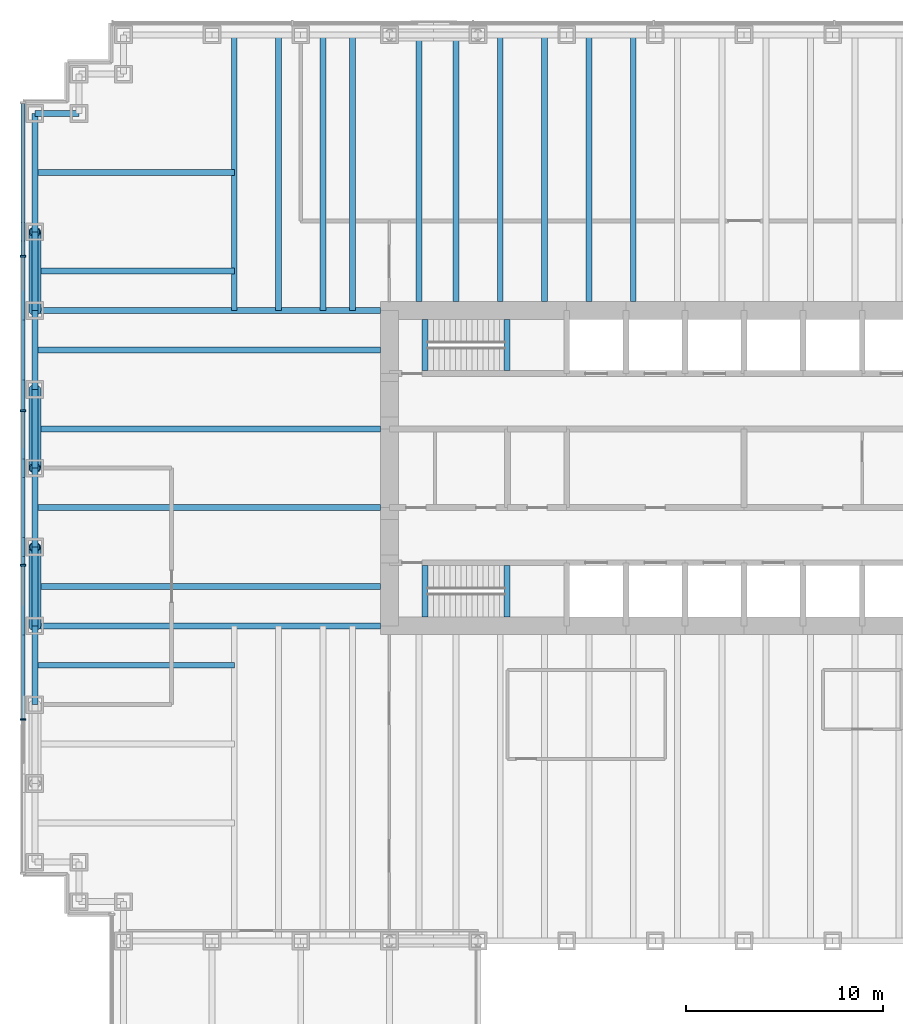
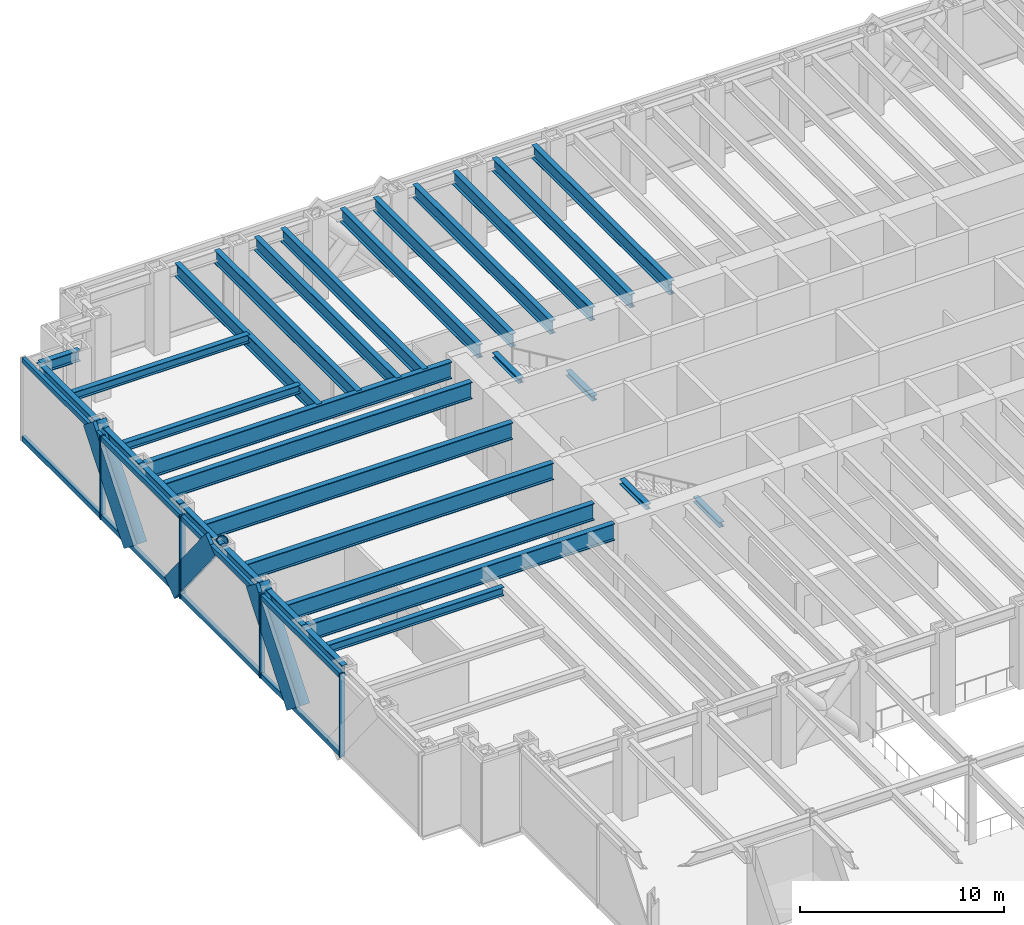
# One storey, part 5 of 17: 31 beams, 18 members, 1 element without a shape of its own.
"""IFC4 building model written with IfcOpenShell, lengths in metres."""

import ifcopenshell
import ifcopenshell.guid

model = None  # the IFC model being written
_history = None  # IfcOwnerHistory: only IFC2X3 demands one
_inside = {}  # id of a spatial element -> (the spatial element, [elements in it])
_under = {}  # id of a project, library or spatial element -> (it, [spatial elements below it])
_declared = {}  # id of a project -> (the project, [libraries it declares])
_typed = {}  # id of a type object -> (the type object, [elements of that type])
_made_of = {}  # id of a material, layer set ... -> (it, [elements and type objects made of it])


def new_model(schema):
    """Start an empty IFC model of exactly this schema.

    Asked for "IFC4X3", IfcOpenShell would pick the latest addendum, in which some entities
    have other attributes; the version numbers below select the first issue.
    IFC2X3 requires an IfcOwnerHistory on every rooted entity: one is made here for all.
    """
    global model, _history
    if schema == "IFC4X3":
        model = ifcopenshell.file(schema_version=(4, 3, 0, 0))
    else:
        model = ifcopenshell.file(schema=schema)
    _inside.clear()
    _under.clear()
    _declared.clear()
    _typed.clear()
    _made_of.clear()
    _history = None
    if model.schema == "IFC2X3":
        org = make("IfcOrganization", Name="unknown")
        user = make(
            "IfcPersonAndOrganization",
            ThePerson=make("IfcPerson", FamilyName="unknown"),
            TheOrganization=org,
        )
        app = make(
            "IfcApplication",
            ApplicationDeveloper=org,
            Version="unknown",
            ApplicationFullName="unknown",
            ApplicationIdentifier="unknown",
        )
        _history = make(
            "IfcOwnerHistory",
            OwningUser=user,
            OwningApplication=app,
            ChangeAction="ADDED",
            CreationDate=0,
        )
    return model


def make(cls, **values):
    """One entity of the class cls with the attributes given. An attribute that is None is left unset."""
    return model.create_entity(
        cls, **{name: value for name, value in values.items() if value is not None}
    )


def rooted(cls, **values):
    """An entity with a GlobalId (a new one), such as an element, a storey or a relation."""
    return make(cls, GlobalId=ifcopenshell.guid.new(), OwnerHistory=_history, **values)


def si_unit(unit_type, name, prefix=None):
    """IfcSIUnit, for example si_unit("LENGTHUNIT", "METRE", prefix="MILLI")."""
    return make("IfcSIUnit", UnitType=unit_type, Prefix=prefix, Name=name)


def assignment(units):
    """IfcUnitAssignment: the units of a project."""
    return None if units is None else make("IfcUnitAssignment", Units=units)


def point(xyz):
    """IfcCartesianPoint."""
    return None if xyz is None else make("IfcCartesianPoint", Coordinates=xyz)


def direction(xyz):
    """IfcDirection."""
    return None if xyz is None else make("IfcDirection", DirectionRatios=xyz)


def frame(location, z_axis=None, x_axis=None):
    """IfcAxis2Placement3D, a coordinate frame: its origin and axes. An axis left out is left unset."""
    return make(
        "IfcAxis2Placement3D",
        Location=point(location),
        Axis=direction(z_axis),
        RefDirection=direction(x_axis),
    )


def frame_2d(location, x_axis=None):
    """IfcAxis2Placement2D, a coordinate frame in the plane: its origin and x axis."""
    return make(
        "IfcAxis2Placement2D", Location=point(location), RefDirection=direction(x_axis)
    )


def origin():
    """The frame at (0, 0, 0) with its axes left unset."""
    return frame((0.0, 0.0, 0.0))


def origin_2d():
    """The frame at (0, 0) in the plane with its x axis left unset."""
    return frame_2d((0.0, 0.0))


def place(relative_to, where):
    """IfcLocalPlacement: puts the frame where relative to a parent placement (None: the world)."""
    return make(
        "IfcLocalPlacement", PlacementRelTo=relative_to, RelativePlacement=where
    )


def context(
    kind, dimensions, precision=None, world=None, true_north=None, identifier=None
):
    """IfcGeometricRepresentationContext, for example the 3D "Model" context."""
    return make(
        "IfcGeometricRepresentationContext",
        ContextIdentifier=identifier,
        ContextType=kind,
        CoordinateSpaceDimension=dimensions,
        Precision=precision,
        WorldCoordinateSystem=world,
        TrueNorth=true_north,
    )


def subcontext(parent, identifier, kind, view, scale=None):
    """IfcGeometricRepresentationSubContext, for example "Body" below "Model"."""
    return make(
        "IfcGeometricRepresentationSubContext",
        ContextIdentifier=identifier,
        ContextType=kind,
        ParentContext=parent,
        TargetScale=scale,
        TargetView=view,
    )


def project(units=None, contexts=None):
    """IfcProject with its units and contexts."""
    return rooted(
        "IfcProject",
        Name="project",
        RepresentationContexts=contexts,
        UnitsInContext=assignment(units),
    )


def spatial(cls, under=None, at=None, **own):
    """A site, building, storey or space (cls), placed at a placement, below another one or the project."""
    s = rooted(cls, ObjectPlacement=at, **own)
    if under is not None:
        _under.setdefault(under.id(), (under, []))[1].append(s)
    return s


def profile(cls, at=None, kind="AREA", **sizes):
    """A parametric profile (cls). Its sizes go by their IFC names, for example OverallWidth=200.0."""
    return make(cls, ProfileType=kind, Position=at, **sizes)


def rectangle(**sizes):
    """IfcRectangleProfileDef."""
    return profile("IfcRectangleProfileDef", **sizes)


def hollow_circle(**sizes):
    """IfcCircleHollowProfileDef."""
    return profile("IfcCircleHollowProfileDef", **sizes)


def i_section(**sizes):
    """IfcIShapeProfileDef."""
    return profile("IfcIShapeProfileDef", **sizes)


def extrude(swept, where, along, depth):
    """IfcExtrudedAreaSolid: the profile swept, set in the frame where, extruded along a direction by depth."""
    return make(
        "IfcExtrudedAreaSolid",
        SweptArea=swept,
        Position=where,
        ExtrudedDirection=direction(along),
        Depth=depth,
    )


def shape(context_of_items, identifier, shape_type, items):
    """IfcShapeRepresentation: the items that make up one representation, for example the "Body"."""
    return make(
        "IfcShapeRepresentation",
        ContextOfItems=context_of_items,
        RepresentationIdentifier=identifier,
        RepresentationType=shape_type,
        Items=items,
    )


def material(Name=None, Category=None):
    """IfcMaterial."""
    return make("IfcMaterial", Name=Name, Category=Category)


def material_profile(
    of_material, cross_section, Name=None, Category=None, Priority=None
):
    """IfcMaterialProfile: a cross section and its material."""
    return make(
        "IfcMaterialProfile",
        Name=Name,
        Material=of_material,
        Profile=cross_section,
        Priority=Priority,
        Category=Category,
    )


def profile_set(profiles, Name=None, composite=None):
    """IfcMaterialProfileSet."""
    return make(
        "IfcMaterialProfileSet",
        Name=Name,
        MaterialProfiles=profiles,
        CompositeProfile=composite,
    )


def made_of(thing, what):
    """Note that an element or type object is made of a material, layer set ...; save() writes the relation."""
    if what is not None:
        _made_of.setdefault(what.id(), (what, []))[1].append(thing)
    return thing


def type_object(cls, material=None, **own):
    """A type object (cls), such as IfcWallType, which elements share."""
    return made_of(rooted(cls, **own), material)


def element(
    cls,
    number,
    at=None,
    inside=None,
    cuts=None,
    type_object=None,
    material=None,
    context=None,
    identifier="Body",
    shape_type=None,
    held_by="IfcProductDefinitionShape",
    body=None,
    shapes=None,
    **own,
):
    """One element of the class cls, such as IfcWall. Its Tag is "e" and its number.

    at: its placement. inside: the storey or other place that contains it. cuts: it is an
    opening in that element (IfcRelVoidsElement). A single representation is given by context,
    identifier, shape_type and body (its items); several are given by shapes. held_by: the class
    of the entity that holds the representations. save() writes the other relations.
    """
    e = rooted(cls, Tag="e%d" % number, ObjectPlacement=at, **own)
    if body is not None:
        shapes = [shape(context, identifier, shape_type, body)]
    if shapes is not None:
        e.Representation = make(held_by, Representations=shapes)
    if inside is not None:
        _inside.setdefault(inside.id(), (inside, []))[1].append(e)
    if cuts is not None:
        rooted(
            "IfcRelVoidsElement", RelatingBuildingElement=cuts, RelatedOpeningElement=e
        )
    if type_object is not None:
        _typed.setdefault(type_object.id(), (type_object, []))[1].append(e)
    return made_of(e, material)


def aggregate(whole, parts):
    """IfcRelAggregates: a whole, such as a stair, and the parts it consists of."""
    return rooted("IfcRelAggregates", RelatingObject=whole, RelatedObjects=parts)


def save(model, path):
    """Write the relations noted so far, then the file.

    IfcRelAggregates (storeys below a building ...), IfcRelContainedInSpatialStructure (elements
    in a storey), IfcRelDefinesByType, IfcRelAssociatesMaterial and IfcRelDeclares: one each for
    every whole, place, type object, material and project.
    """
    for whole, parts in _under.values():
        aggregate(whole, parts)
    for where, things in _inside.values():
        rooted(
            "IfcRelContainedInSpatialStructure",
            RelatedElements=things,
            RelatingStructure=where,
        )
    for kind, things in _typed.values():
        rooted("IfcRelDefinesByType", RelatedObjects=things, RelatingType=kind)
    for what, things in _made_of.values():
        rooted("IfcRelAssociatesMaterial", RelatedObjects=things, RelatingMaterial=what)
    for by, libraries in _declared.values():
        rooted("IfcRelDeclares", RelatingContext=by, RelatedDefinitions=libraries)
    model.write(path)


model = new_model("IFC4")

# Units and contexts
model_context = context("Model", 3, precision=1e-05, world=origin(), true_north=direction((0.0, 1.0)))
body_context = subcontext(model_context, "Body", "Model", "MODEL_VIEW")
ifc_project = project(units=[si_unit("LENGTHUNIT", "METRE"), si_unit("AREAUNIT", "SQUARE_METRE"), si_unit("VOLUMEUNIT", "CUBIC_METRE"), si_unit("PLANEANGLEUNIT", "RADIAN"), si_unit("MASSUNIT", "GRAM", prefix="KILO")], contexts=[model_context])

# Site, building, storey
site_placement = place(None, origin())
site = spatial("IfcSite", under=ifc_project, at=site_placement, CompositionType="ELEMENT")
building_placement = place(site_placement, origin())
building = spatial("IfcBuilding", under=site, at=building_placement, Name="Rheinbord Bourse Tower", CompositionType="ELEMENT")
storey_placement = place(building_placement, frame((0.0, 0.0, 13.0)))
storey = spatial("IfcBuildingStorey", under=building, at=storey_placement, Name="L02", CompositionType="ELEMENT", Elevation=13.0)

# Curtain wall, members
ifc_material_1 = material(Name="Dark glass and black aluminium", Category="aluminium")
curtain_wall_type = type_object("IfcCurtainWallType", Name="CW4 DARK GLASS CURTAIN WALL", PredefinedType="USERDEFINED", material=ifc_material_1)
curtain_wall_placement = place(storey_placement, origin())
curtain_wall = element("IfcCurtainWall", 1, at=curtain_wall_placement, inside=storey, type_object=curtain_wall_type, Name="Curtain wall CW4 W L02", ObjectType="UNITISED CURTAIN WALL", PredefinedType="USERDEFINED")
ifc_material_2 = material(Name="Black anodised aluminium", Category="aluminium")
ifc_material_profile_1 = material_profile(ifc_material_2, rectangle(XDim=0.199951171875, YDim=1.2099609375, at=origin_2d()), Name="CW4 DIAGONAL MULLION 1210x200")
ifc_profile_set_1 = profile_set([ifc_material_profile_1], Name="Black anodised aluminium")
member_type_1 = type_object("IfcMemberType", Name="CW4 BLACK DIAGONAL MULLION", PredefinedType="USERDEFINED", material=ifc_profile_set_1)
member_1_placement = place(storey_placement, frame((-0.60009765625, 16.0, 0.0), z_axis=(0.0, 0.624695047554, 0.780868809443), x_axis=(-1.0, 0.0, 0.0)))
member_1 = element("IfcMember", 2, at=member_1_placement, type_object=member_type_1, Name="CW4 diagonal mullion a", ObjectType="DIAGONAL MULLION", PredefinedType="USERDEFINED", context=body_context, shape_type="SweptSolid", body=[
    extrude(rectangle(XDim=0.199951171875, YDim=1.2099609375, at=origin_2d()), origin(), (0.0, 0.0, 1.0), 6.403076171875),
])
member_2_placement = place(storey_placement, frame((-0.60009765625, 28.0, 0.0), z_axis=(0.0, -0.624695047554, 0.780868809443), x_axis=(1.0, 0.0, 0.0)))
member_2 = element("IfcMember", 3, at=member_2_placement, type_object=member_type_1, Name="CW4 diagonal mullion b", ObjectType="DIAGONAL MULLION", PredefinedType="USERDEFINED", context=body_context, shape_type="SweptSolid", body=[
    extrude(rectangle(XDim=0.199951171875, YDim=1.2099609375, at=origin_2d()), origin(), (0.0, 0.0, 1.0), 6.403076171875),
])
member_3_placement = place(storey_placement, frame((-0.60009765625, 32.0, 0.0), z_axis=(0.0, 0.624695047554, 0.780868809443), x_axis=(-1.0, 0.0, 0.0)))
member_3 = element("IfcMember", 4, at=member_3_placement, type_object=member_type_1, Name="CW4 diagonal mullion c", ObjectType="DIAGONAL MULLION", PredefinedType="USERDEFINED", context=body_context, shape_type="SweptSolid", body=[
    extrude(rectangle(XDim=0.199951171875, YDim=1.2099609375, at=origin_2d()), origin(), (0.0, 0.0, 1.0), 6.403076171875),
])
ifc_material_3 = material(Name="Black anodised aluminium", Category="aluminium")
ifc_material_profile_2 = material_profile(ifc_material_3, rectangle(XDim=0.300048828125, YDim=0.090087890625, at=origin_2d()), Name="CW4 MULLION 90x300")
ifc_profile_set_2 = profile_set([ifc_material_profile_2], Name="Black anodised aluminium")
member_type_2 = type_object("IfcMemberType", Name="CW4 BLACK MULLION", PredefinedType="MULLION", material=ifc_profile_set_2)
member_4_placement = place(storey_placement, frame((-0.60009765625, 34.760009765625, 0.0), z_axis=(0.0, 0.0, 1.0), x_axis=(1.0, 0.0, 0.0)))
member_4 = element("IfcMember", 5, at=member_4_placement, type_object=member_type_2, Name="CW4 mullion 2", PredefinedType="MULLION", context=body_context, shape_type="SweptSolid", body=[
    extrude(rectangle(XDim=0.300048828125, YDim=0.090087890625, at=origin_2d()), origin(), (0.0, 0.0, 1.0), 5.0),
])
member_5_placement = place(storey_placement, frame((-0.60009765625, 26.919921875, 0.0), z_axis=(0.0, 0.0, 1.0), x_axis=(1.0, 0.0, 0.0)))
member_5 = element("IfcMember", 6, at=member_5_placement, type_object=member_type_2, Name="CW4 mullion 3", PredefinedType="MULLION", context=body_context, shape_type="SweptSolid", body=[
    extrude(rectangle(XDim=0.300048828125, YDim=0.090087890625, at=origin_2d()), origin(), (0.0, 0.0, 1.0), 5.0),
])
member_6_placement = place(storey_placement, frame((-0.60009765625, 19.080078125, 0.0), z_axis=(0.0, 0.0, 1.0), x_axis=(1.0, 0.0, 0.0)))
member_6 = element("IfcMember", 7, at=member_6_placement, type_object=member_type_2, Name="CW4 mullion 4", PredefinedType="MULLION", context=body_context, shape_type="SweptSolid", body=[
    extrude(rectangle(XDim=0.300048828125, YDim=0.090087890625, at=origin_2d()), origin(), (0.0, 0.0, 1.0), 5.0),
])
member_7_placement = place(storey_placement, frame((-0.60009765625, 11.239990234375, 0.0), z_axis=(0.0, 0.0, 1.0), x_axis=(1.0, 0.0, 0.0)))
member_7 = element("IfcMember", 8, at=member_7_placement, type_object=member_type_2, Name="CW4 mullion 5", PredefinedType="MULLION", context=body_context, shape_type="SweptSolid", body=[
    extrude(rectangle(XDim=0.300048828125, YDim=0.090087890625, at=origin_2d()), origin(), (0.0, 0.0, 1.0), 5.0),
])
ifc_material_4 = material(Name="Black anodised aluminium", Category="aluminium")
ifc_material_profile_3 = material_profile(ifc_material_4, rectangle(XDim=0.199951171875, YDim=0.300048828125, at=origin_2d()), Name="CW4 TRANSOM 300x200")
ifc_profile_set_3 = profile_set([ifc_material_profile_3], Name="Black anodised aluminium")
member_type_3 = type_object("IfcMemberType", Name="CW4 BLACK TRANSOM", PredefinedType="USERDEFINED", material=ifc_profile_set_3)
member_8_placement = place(storey_placement, frame((-0.60009765625, 42.510009765625, 0.14990234375), z_axis=(0.0, -1.0, 0.0), x_axis=(1.0, 0.0, 0.0)))
member_8 = element("IfcMember", 9, at=member_8_placement, type_object=member_type_3, Name="CW4 transom 1.1", ObjectType="TRANSOM", PredefinedType="USERDEFINED", context=body_context, shape_type="SweptSolid", body=[
    extrude(rectangle(XDim=0.199951171875, YDim=0.300048828125, at=origin_2d()), origin(), (0.0, 0.0, 1.0), 7.705078125),
])
member_9_placement = place(storey_placement, frame((-0.60009765625, 42.510009765625, 4.85009765625), z_axis=(0.0, -1.0, 0.0), x_axis=(1.0, 0.0, 0.0)))
member_9 = element("IfcMember", 10, at=member_9_placement, type_object=member_type_3, Name="CW4 transom 1.2", ObjectType="TRANSOM", PredefinedType="USERDEFINED", context=body_context, shape_type="SweptSolid", body=[
    extrude(rectangle(XDim=0.199951171875, YDim=0.300048828125, at=origin_2d()), origin(), (0.0, 0.0, 1.0), 7.705078125),
])
member_10_placement = place(storey_placement, frame((-0.60009765625, 34.715087890625, 0.14990234375), z_axis=(0.0, -1.0, 0.0), x_axis=(1.0, 0.0, 0.0)))
member_10 = element("IfcMember", 11, at=member_10_placement, type_object=member_type_3, Name="CW4 transom 2.1", ObjectType="TRANSOM", PredefinedType="USERDEFINED", context=body_context, shape_type="SweptSolid", body=[
    extrude(rectangle(XDim=0.199951171875, YDim=0.300048828125, at=origin_2d()), origin(), (0.0, 0.0, 1.0), 7.75),
])
member_11_placement = place(storey_placement, frame((-0.60009765625, 34.715087890625, 4.85009765625), z_axis=(0.0, -1.0, 0.0), x_axis=(1.0, 0.0, 0.0)))
member_11 = element("IfcMember", 12, at=member_11_placement, type_object=member_type_3, Name="CW4 transom 2.2", ObjectType="TRANSOM", PredefinedType="USERDEFINED", context=body_context, shape_type="SweptSolid", body=[
    extrude(rectangle(XDim=0.199951171875, YDim=0.300048828125, at=origin_2d()), origin(), (0.0, 0.0, 1.0), 7.75),
])
member_12_placement = place(storey_placement, frame((-0.60009765625, 26.875, 0.14990234375), z_axis=(0.0, -1.0, 0.0), x_axis=(1.0, 0.0, 0.0)))
member_12 = element("IfcMember", 13, at=member_12_placement, type_object=member_type_3, Name="CW4 transom 3.1", ObjectType="TRANSOM", PredefinedType="USERDEFINED", context=body_context, shape_type="SweptSolid", body=[
    extrude(rectangle(XDim=0.199951171875, YDim=0.300048828125, at=origin_2d()), origin(), (0.0, 0.0, 1.0), 7.75),
])
member_13_placement = place(storey_placement, frame((-0.60009765625, 26.875, 4.85009765625), z_axis=(0.0, -1.0, 0.0), x_axis=(1.0, 0.0, 0.0)))
member_13 = element("IfcMember", 14, at=member_13_placement, type_object=member_type_3, Name="CW4 transom 3.2", ObjectType="TRANSOM", PredefinedType="USERDEFINED", context=body_context, shape_type="SweptSolid", body=[
    extrude(rectangle(XDim=0.199951171875, YDim=0.300048828125, at=origin_2d()), origin(), (0.0, 0.0, 1.0), 7.75),
])
member_14_placement = place(storey_placement, frame((-0.60009765625, 19.034912109375, 0.14990234375), z_axis=(0.0, -1.0, 0.0), x_axis=(1.0, 0.0, 0.0)))
member_14 = element("IfcMember", 15, at=member_14_placement, type_object=member_type_3, Name="CW4 transom 4.1", ObjectType="TRANSOM", PredefinedType="USERDEFINED", context=body_context, shape_type="SweptSolid", body=[
    extrude(rectangle(XDim=0.199951171875, YDim=0.300048828125, at=origin_2d()), origin(), (0.0, 0.0, 1.0), 7.75),
])
member_15_placement = place(storey_placement, frame((-0.60009765625, 19.034912109375, 4.85009765625), z_axis=(0.0, -1.0, 0.0), x_axis=(1.0, 0.0, 0.0)))
member_15 = element("IfcMember", 16, at=member_15_placement, type_object=member_type_3, Name="CW4 transom 4.2", ObjectType="TRANSOM", PredefinedType="USERDEFINED", context=body_context, shape_type="SweptSolid", body=[
    extrude(rectangle(XDim=0.199951171875, YDim=0.300048828125, at=origin_2d()), origin(), (0.0, 0.0, 1.0), 7.75),
])
aggregate(curtain_wall, [member_4, member_5, member_6, member_7, member_8, member_9, member_10, member_11, member_12, member_13, member_14, member_15, member_1, member_2, member_3])

# Beams
ifc_material_5 = material(Name="Steel S460", Category="steel")
ifc_material_profile_4 = material_profile(ifc_material_5, i_section(OverallWidth=0.302001953125, OverallDepth=1.008056640625, WebThickness=0.02099609375, FlangeThickness=0.0400390625, at=origin_2d()), Name="HEM 1000")
ifc_profile_set_4 = profile_set([ifc_material_profile_4], Name="Steel S460")
beam_type_1 = type_object("IfcBeamType", Name="END BEAM HEM 1000", PredefinedType="BEAM", material=ifc_profile_set_4)
for number, where, z_axis, x_axis, name in (
    (17, (0.0, 18.0, 4.31591796875), (1.0, 0.0, 0.0), (0.0, 1.0, 0.0), "End beam west 18 L03"),
    (18, (0.0, 22.0, 4.31591796875), (1.0, 0.0, 0.0), (0.0, 1.0, 0.0), "End beam west 22 L03"),
    (19, (0.0, 26.0, 4.31591796875), (1.0, 0.0, 0.0), (0.0, 1.0, 0.0), "End beam west 26 L03"),
    (20, (0.0, 30.0, 4.31591796875), (1.0, 0.0, 0.0), (0.0, 1.0, 0.0), "End beam west 30 L03"),
):
    element("IfcBeam", number, at=place(storey_placement, frame(where, z_axis=z_axis, x_axis=x_axis)), inside=storey, type_object=beam_type_1, Name=name, PredefinedType="BEAM", context=body_context, shape_type="SweptSolid", body=[
        extrude(i_section(OverallWidth=0.302001953125, OverallDepth=1.008056640625, WebThickness=0.02099609375, FlangeThickness=0.0400390625, at=origin_2d()), origin(), (0.0, 0.0, 1.0), 17.550048828125),
    ])
ifc_material_6 = material(Name="Steel S460", Category="steel")
ifc_material_profile_5 = material_profile(ifc_material_6, i_section(OverallWidth=0.300048828125, OverallDepth=0.800048828125, WebThickness=0.017578125, FlangeThickness=0.032958984375, at=origin_2d()), Name="HEB 800")
ifc_profile_set_5 = profile_set([ifc_material_profile_5], Name="Steel S460")
beam_type_2 = type_object("IfcBeamType", Name="FLOOR BEAM HEB 800", PredefinedType="BEAM", material=ifc_profile_set_5)
for number, where, z_axis, x_axis, name in (
    (21, (10.125, 46.0, 4.419921875), (0.0, -1.0, 0.0), (1.0, 0.0, 0.0), "Floor beam N-9a L03"),
    (22, (12.375, 46.0, 4.419921875), (0.0, -1.0, 0.0), (1.0, 0.0, 0.0), "Floor beam N-9b L03"),
    (23, (14.625, 46.0, 4.419921875), (0.0, -1.0, 0.0), (1.0, 0.0, 0.0), "Floor beam N-13.5a L03"),
    (24, (16.125, 46.0, 4.419921875), (0.0, -1.0, 0.0), (1.0, 0.0, 0.0), "Floor beam N-13.5b L03"),
):
    element("IfcBeam", number, at=place(storey_placement, frame(where, z_axis=z_axis, x_axis=x_axis)), inside=storey, type_object=beam_type_2, Name=name, PredefinedType="BEAM", context=body_context, shape_type="SweptSolid", body=[
        extrude(i_section(OverallWidth=0.300048828125, OverallDepth=0.800048828125, WebThickness=0.017578125, FlangeThickness=0.032958984375, at=origin_2d()), origin(), (0.0, 0.0, 1.0), 14.0),
    ])
for number, where, z_axis, x_axis, name in (
    (25, (19.5, 46.0, 4.419921875), (0.0, -1.0, 0.0), (1.0, 0.0, 0.0), "Floor beam N-18a L03"),
    (26, (21.375, 46.0, 4.419921875), (0.0, -1.0, 0.0), (1.0, 0.0, 0.0), "Floor beam N-18b L03"),
    (27, (23.625, 46.0, 4.419921875), (0.0, -1.0, 0.0), (1.0, 0.0, 0.0), "Floor beam N-22.5a L03"),
    (28, (25.875, 46.0, 4.419921875), (0.0, -1.0, 0.0), (1.0, 0.0, 0.0), "Floor beam N-22.5b L03"),
    (29, (28.125, 46.0, 4.419921875), (0.0, -1.0, 0.0), (1.0, 0.0, 0.0), "Floor beam N-27a L03"),
    (30, (30.375, 46.0, 4.419921875), (0.0, -1.0, 0.0), (1.0, 0.0, 0.0), "Floor beam N-27b L03"),
):
    element("IfcBeam", number, at=place(storey_placement, frame(where, z_axis=z_axis, x_axis=x_axis)), inside=storey, type_object=beam_type_2, Name=name, PredefinedType="BEAM", context=body_context, shape_type="SweptSolid", body=[
        extrude(i_section(OverallWidth=0.300048828125, OverallDepth=0.800048828125, WebThickness=0.017578125, FlangeThickness=0.032958984375, at=origin_2d()), origin(), (0.0, 0.0, 1.0), 13.550048828125),
    ])
ifc_material_7 = material(Name="Steel S460", Category="steel")
ifc_material_profile_6 = material_profile(ifc_material_7, i_section(OverallWidth=0.302001953125, OverallDepth=1.008056640625, WebThickness=0.02099609375, FlangeThickness=0.0400390625, at=origin_2d()), Name="HEM 1000")
ifc_profile_set_6 = profile_set([ifc_material_profile_6], Name="Steel S460")
beam_type_3 = type_object("IfcBeamType", Name="GIRDER HEM 1000", PredefinedType="BEAM", material=ifc_profile_set_6)
for number, where, z_axis, x_axis, name in (
    (31, (0.0, 16.0, 4.31591796875), (1.0, 0.0, 0.0), (0.0, 1.0, 0.0), "Girder west 16 L03"),
    (32, (0.0, 32.0, 4.31591796875), (1.0, 0.0, 0.0), (0.0, 1.0, 0.0), "Girder west 32 L03"),
):
    element("IfcBeam", number, at=place(storey_placement, frame(where, z_axis=z_axis, x_axis=x_axis)), inside=storey, type_object=beam_type_3, Name=name, PredefinedType="BEAM", context=body_context, shape_type="SweptSolid", body=[
        extrude(i_section(OverallWidth=0.302001953125, OverallDepth=1.008056640625, WebThickness=0.02099609375, FlangeThickness=0.0400390625, at=origin_2d()), origin(), (0.0, 0.0, 1.0), 17.550048828125),
    ])
ifc_material_8 = material(Name="Steel S460", Category="steel")
ifc_material_profile_7 = material_profile(ifc_material_8, i_section(OverallWidth=0.300048828125, OverallDepth=0.300048828125, WebThickness=0.010986328125, FlangeThickness=0.01904296875, at=origin_2d()), Name="HEB 300")
ifc_profile_set_7 = profile_set([ifc_material_profile_7], Name="Steel S460")
beam_type_4 = type_object("IfcBeamType", Name="LANDING TRIMMER HEB 300", PredefinedType="BEAM", material=ifc_profile_set_7)
for number, where, z_axis, x_axis, name in (
    (33, (23.969970703125, 16.449951171875, 2.14990234375), (0.0, 1.0, 0.0), (-1.0, 0.0, 0.0), "Landing trimmer ST1 L02"),
    (34, (19.800048828125, 16.449951171875, 4.669921875), (0.0, 1.0, 0.0), (-1.0, 0.0, 0.0), "Well trimmer ST1 under L03"),
    (35, (23.969970703125, 28.949951171875, 2.14990234375), (0.0, 1.0, 0.0), (-1.0, 0.0, 0.0), "Landing trimmer ST2 L02"),
    (36, (19.800048828125, 28.949951171875, 4.669921875), (0.0, 1.0, 0.0), (-1.0, 0.0, 0.0), "Well trimmer ST2 under L03"),
):
    element("IfcBeam", number, at=place(storey_placement, frame(where, z_axis=z_axis, x_axis=x_axis)), inside=storey, type_object=beam_type_4, Name=name, PredefinedType="BEAM", context=body_context, shape_type="SweptSolid", body=[
        extrude(i_section(OverallWidth=0.300048828125, OverallDepth=0.300048828125, WebThickness=0.010986328125, FlangeThickness=0.01904296875, at=origin_2d()), origin(), (0.0, 0.0, 1.0), 2.60009765625),
    ])

# Members
ifc_material_9 = material(Name="Steel S460", Category="steel")
ifc_material_profile_8 = material_profile(ifc_material_9, hollow_circle(Radius=0.304931640625, WallThickness=0.050048828125, at=origin_2d()), Name="CHS 610x50")
ifc_profile_set_8 = profile_set([ifc_material_profile_8], Name="Steel S460")
member_type_4 = type_object("IfcMemberType", Name="MEGABRACE CHS 610x50", PredefinedType="BRACE", material=ifc_profile_set_8)
for number, where, z_axis, x_axis, name in (
    (37, (0.0, 16.0, 0.0), (0.0, 0.624695047554, 0.780868809443), (-1.0, 0.0, 0.0), "Megabrace W face line a L02"),
    (38, (0.0, 28.0, 0.0), (0.0, -0.624695047554, 0.780868809443), (1.0, 0.0, 0.0), "Megabrace W face line b L02"),
    (39, (0.0, 32.0, 0.0), (0.0, 0.624695047554, 0.780868809443), (-1.0, 0.0, 0.0), "Megabrace W face line c L02"),
):
    element("IfcMember", number, at=place(storey_placement, frame(where, z_axis=z_axis, x_axis=x_axis)), inside=storey, type_object=member_type_4, Name=name, PredefinedType="BRACE", context=body_context, shape_type="SweptSolid", body=[
        extrude(hollow_circle(Radius=0.304931640625, WallThickness=0.050048828125, at=origin_2d()), origin(), (0.0, 0.0, 1.0), 6.403076171875),
    ])

# Beams
ifc_material_10 = material(Name="Steel S460", Category="steel")
ifc_material_profile_9 = material_profile(ifc_material_10, i_section(OverallWidth=0.304931640625, OverallDepth=0.66796875, WebThickness=0.02099609375, FlangeThickness=0.0400390625, at=origin_2d()), Name="HEM 650")
ifc_profile_set_9 = profile_set([ifc_material_profile_9], Name="Steel S460")
beam_type_5 = type_object("IfcBeamType", Name="SPANDREL HEM 650", PredefinedType="SPANDREL", material=ifc_profile_set_9)
beam_1_placement = place(storey_placement, frame((2.25, 42.0, 4.486083984375), z_axis=(-1.0, 0.0, 0.0), x_axis=(0.0, -1.0, 0.0)))
element("IfcBeam", 40, at=beam_1_placement, inside=storey, type_object=beam_type_5, Name="Spandrel NW-B-NW-A under L03", PredefinedType="SPANDREL", context=body_context, shape_type="SweptSolid", body=[
    extrude(i_section(OverallWidth=0.304931640625, OverallDepth=0.66796875, WebThickness=0.02099609375, FlangeThickness=0.0400390625, at=origin_2d()), origin(), (0.0, 0.0, 1.0), 2.25),
])
beam_2_placement = place(storey_placement, frame((0.0, 42.0, 4.486083984375), z_axis=(0.0, -1.0, 0.0), x_axis=(1.0, 0.0, 0.0)))
element("IfcBeam", 41, at=beam_2_placement, inside=storey, type_object=beam_type_5, Name="Spandrel NW-A-W-36 under L03", PredefinedType="SPANDREL", context=body_context, shape_type="SweptSolid", body=[
    extrude(i_section(OverallWidth=0.304931640625, OverallDepth=0.66796875, WebThickness=0.02099609375, FlangeThickness=0.0400390625, at=origin_2d()), origin(), (0.0, 0.0, 1.0), 6.0),
])
for number, where, z_axis, x_axis, name in (
    (42, (0.0, 36.0, 4.486083984375), (0.0, -1.0, 0.0), (1.0, 0.0, 0.0), "Spandrel W-36-W-32 under L03"),
    (43, (0.0, 32.0, 4.486083984375), (0.0, -1.0, 0.0), (1.0, 0.0, 0.0), "Spandrel W-32-W-28 under L03"),
    (44, (0.0, 28.0, 4.486083984375), (0.0, -1.0, 0.0), (1.0, 0.0, 0.0), "Spandrel W-28-W-24 under L03"),
    (45, (0.0, 24.0, 4.486083984375), (0.0, -1.0, 0.0), (1.0, 0.0, 0.0), "Spandrel W-24-W-20 under L03"),
    (46, (0.0, 20.0, 4.486083984375), (0.0, -1.0, 0.0), (1.0, 0.0, 0.0), "Spandrel W-20-W-16 under L03"),
    (47, (0.0, 16.0, 4.486083984375), (0.0, -1.0, 0.0), (1.0, 0.0, 0.0), "Spandrel W-16-W-12 under L03"),
):
    element("IfcBeam", number, at=place(storey_placement, frame(where, z_axis=z_axis, x_axis=x_axis)), inside=storey, type_object=beam_type_5, Name=name, PredefinedType="SPANDREL", context=body_context, shape_type="SweptSolid", body=[
        extrude(i_section(OverallWidth=0.304931640625, OverallDepth=0.66796875, WebThickness=0.02099609375, FlangeThickness=0.0400390625, at=origin_2d()), origin(), (0.0, 0.0, 1.0), 4.0),
    ])
ifc_material_11 = material(Name="Steel S460", Category="steel")
ifc_material_profile_10 = material_profile(ifc_material_11, i_section(OverallWidth=0.300048828125, OverallDepth=0.5, WebThickness=0.014404296875, FlangeThickness=0.028076171875, at=origin_2d()), Name="HEB 500")
ifc_profile_set_10 = profile_set([ifc_material_profile_10], Name="Steel S460")
beam_type_6 = type_object("IfcBeamType", Name="TIE BEAM HEB 500", PredefinedType="JOIST", material=ifc_profile_set_10)
for number, where, z_axis, x_axis, name in (
    (48, (0.0, 14.0, 4.570068359375), (1.0, 0.0, 0.0), (0.0, 1.0, 0.0), "Tie west 14 L03"),
    (49, (0.0, 34.0, 4.570068359375), (1.0, 0.0, 0.0), (0.0, 1.0, 0.0), "Tie west 34 L03"),
    (50, (0.0, 39.0, 4.570068359375), (1.0, 0.0, 0.0), (0.0, 1.0, 0.0), "Tie west 39 L03"),
):
    element("IfcBeam", number, at=place(storey_placement, frame(where, z_axis=z_axis, x_axis=x_axis)), inside=storey, type_object=beam_type_6, Name=name, PredefinedType="JOIST", context=body_context, shape_type="SweptSolid", body=[
        extrude(i_section(OverallWidth=0.300048828125, OverallDepth=0.5, WebThickness=0.014404296875, FlangeThickness=0.028076171875, at=origin_2d()), origin(), (0.0, 0.0, 1.0), 10.125),
    ])

save(model, "model.ifc")
